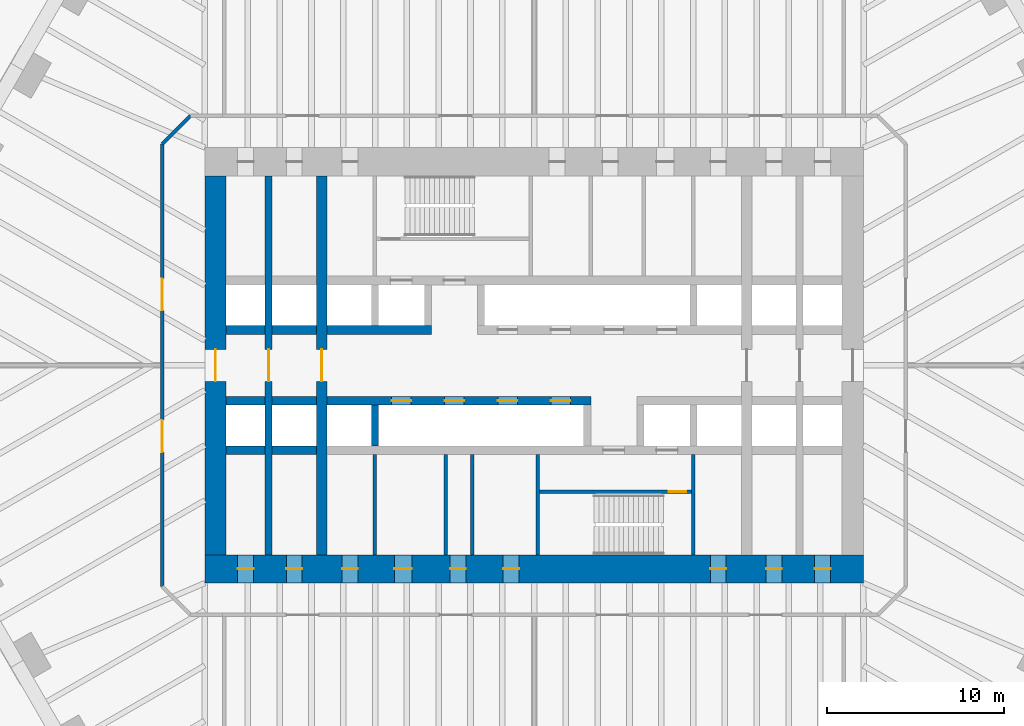
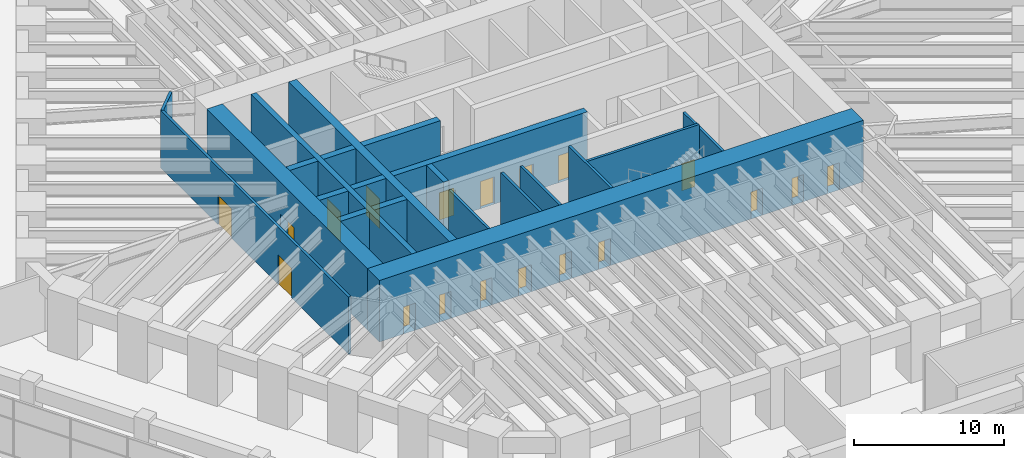
# One storey, part 27 of 31: 21 walls, 19 doors, 19 openings.
"""IFC4 building model written with IfcOpenShell, lengths in metres."""

from ifc_helpers import new_model, si_unit, direction, frame, frame_2d, origin, place, context, subcontext, project, spatial, rectangle, extrude, material, layer, layer_set, type_object, element, fill, save


model = new_model("IFC4")

# Units and contexts
model_context = context("Model", 3, precision=1e-05, world=origin(), true_north=direction((0.0, 1.0)))
body_context = subcontext(model_context, "Body", "Model", "MODEL_VIEW")
ifc_project = project(units=[si_unit("LENGTHUNIT", "METRE"), si_unit("AREAUNIT", "SQUARE_METRE"), si_unit("VOLUMEUNIT", "CUBIC_METRE"), si_unit("PLANEANGLEUNIT", "RADIAN"), si_unit("MASSUNIT", "GRAM", prefix="KILO")], contexts=[model_context])

# Site, building, storey
site_placement = place(None, origin())
site = spatial("IfcSite", under=ifc_project, at=site_placement, CompositionType="ELEMENT")
building_placement = place(site_placement, origin())
building = spatial("IfcBuilding", under=site, at=building_placement, Name="Tarfa Lantern Tower", CompositionType="ELEMENT")
storey_placement = place(building_placement, frame((0.0, 0.0, 18.5)))
storey = spatial("IfcBuildingStorey", under=building, at=storey_placement, Name="L03", CompositionType="ELEMENT", Elevation=18.5)

# Walls
ifc_material_1 = material(Name="Concrete blockwork", Category="masonry")
ifc_layer_1 = layer(ifc_material_1, 0.199951171875)
ifc_layer_set_1 = layer_set([ifc_layer_1], Name="IW1 BLOCKWORK PARTITION 200 EI 120")
wall_type_1 = type_object("IfcWallType", Name="IW1 BLOCKWORK PARTITION 200 EI 120", PredefinedType="PARTITIONING", material=ifc_layer_set_1)
for number, where, z_axis, x_axis, name in (
    (1, (9.0, -5.050048828125, 0.0), (0.0, 0.0, 1.0), (0.0, -1.0, 0.0), "Core partition"),
    (2, (-9.0, -5.050048828125, 0.0), (0.0, 0.0, 1.0), (0.0, -1.0, 0.0), "Core partition"),
    (3, (-3.5, -5.050048828125, 0.0), (0.0, 0.0, 1.0), (0.0, -1.0, 0.0), "Core partition"),
    (4, (-5.0, -5.050048828125, 0.0), (0.0, 0.0, 1.0), (0.0, -1.0, 0.0), "Core partition"),
):
    element("IfcWall", number, at=place(storey_placement, frame(where, z_axis=z_axis, x_axis=x_axis)), inside=storey, type_object=wall_type_1, Name=name, PredefinedType="PARTITIONING", context=body_context, shape_type="SweptSolid", body=[
        extrude(rectangle(XDim=5.64990234375, YDim=0.199951171875, at=frame_2d((2.824951171875, 0.0))), origin(), (0.0, 0.0, 1.0), 4.64990234375),
    ])

# Wall, openings, doors
ifc_material_2 = material(Name="Gypsum board on steel studs", Category="steel")
ifc_layer_2 = layer(ifc_material_2, 0.2099609375)
ifc_layer_set_2 = layer_set([ifc_layer_2], Name="IW2 ACOUSTIC PARTITION 200")
wall_type_2 = type_object("IfcWallType", Name="IW2 ACOUSTIC PARTITION 200", PredefinedType="PARTITIONING", material=ifc_layer_set_2)
wall_1_placement = place(storey_placement, frame((-21.0, -12.5, 0.0), z_axis=(0.0, 0.0, 1.0), x_axis=(0.0, 1.0, 0.0)))
wall_1 = element("IfcWall", 5, at=wall_1_placement, inside=storey, type_object=wall_type_2, Name="Partition", PredefinedType="PARTITIONING", context=body_context, shape_type="SweptSolid", body=[
    extrude(rectangle(XDim=25.0, YDim=0.199951171875, at=frame_2d((12.5, 0.0))), origin(), (0.0, 0.0, 1.0), 4.64990234375),
])
opening_1_placement = place(wall_1_placement, frame((15.60009765625, 0.0, 0.0)))
opening_1 = element("IfcOpeningElement", 6, at=opening_1_placement, cuts=wall_1, Name="Opening D49", PredefinedType="OPENING", context=body_context, shape_type="SweptSolid", body=[
    extrude(rectangle(XDim=1.800048828125, YDim=2.39990234375, at=frame_2d((0.89990234375, 1.199951171875))), frame((0.0, 0.10986328125, 0.0), z_axis=(0.0, -1.0, 0.0), x_axis=(1.0, 0.0, 0.0)), (0.0, 0.0, 1.0), 0.219970703125),
])
opening_2_placement = place(wall_1_placement, frame((7.60009765625, 0.0, 0.0)))
opening_2 = element("IfcOpeningElement", 7, at=opening_2_placement, cuts=wall_1, Name="Opening D51", PredefinedType="OPENING", context=body_context, shape_type="SweptSolid", body=[
    extrude(rectangle(XDim=1.800048828125, YDim=2.39990234375, at=frame_2d((0.89990234375, 1.199951171875))), frame((0.0, 0.10986328125, 0.0), z_axis=(0.0, -1.0, 0.0), x_axis=(1.0, 0.0, 0.0)), (0.0, 0.0, 1.0), 0.219970703125),
])
ifc_material_3 = material(Name="Timber door", Category="wood")
door_type_1 = type_object("IfcDoorType", Name="DR2 ROOM DOOR 1800x2400", OperationType="DOUBLE_DOOR_SINGLE_SWING", PredefinedType="DOOR", material=ifc_material_3)
door_1_placement = place(opening_1_placement, origin())
door_1 = element("IfcDoor", 8, at=door_1_placement, inside=storey, type_object=door_type_1, Name="Wellness centre door", OperationType="DOUBLE_DOOR_SINGLE_SWING", OverallHeight=2.39990234375, OverallWidth=1.800048828125, PredefinedType="DOOR", context=body_context, shape_type="SweptSolid", body=[
    extrude(rectangle(XDim=1.800048828125, YDim=2.39990234375, at=frame_2d((0.89990234375, 1.199951171875))), frame((0.0, 0.02490234375, 0.0), z_axis=(0.0, -1.0, 0.0), x_axis=(1.0, 0.0, 0.0)), (0.0, 0.0, 1.0), 0.050048828125),
])
fill(opening_1, door_1)
door_2_placement = place(opening_2_placement, origin())
door_2 = element("IfcDoor", 9, at=door_2_placement, inside=storey, type_object=door_type_1, Name="Human resources workplace door", OperationType="DOUBLE_DOOR_SINGLE_SWING", OverallHeight=2.39990234375, OverallWidth=1.800048828125, PredefinedType="DOOR", context=body_context, shape_type="SweptSolid", body=[
    extrude(rectangle(XDim=1.800048828125, YDim=2.39990234375, at=frame_2d((0.89990234375, 1.199951171875))), frame((0.0, 0.02490234375, 0.0), z_axis=(0.0, -1.0, 0.0), x_axis=(1.0, 0.0, 0.0)), (0.0, 0.0, 1.0), 0.050048828125),
])
fill(opening_2, door_2)

# Wall
wall_2_placement = place(storey_placement, frame((-21.0, 12.5, 0.0), z_axis=(0.0, 0.0, 1.0), x_axis=(0.707106781187, 0.707106781187, 0.0)))
element("IfcWall", 10, at=wall_2_placement, inside=storey, type_object=wall_type_2, Name="Partition", PredefinedType="PARTITIONING", context=body_context, shape_type="SweptSolid", body=[
    extrude(rectangle(XDim=2.262939453125, YDim=0.199951171875, at=frame_2d((1.13134765625, 0.0))), origin(), (0.0, 0.0, 1.0), 4.64990234375),
])

# Wall, opening, door
ifc_material_4 = material(Name="Concrete C80/95", Category="concrete")
ifc_layer_3 = layer(ifc_material_4, 1.199951171875)
ifc_layer_set_3 = layer_set([ifc_layer_3], Name="SW1 CORE WALL 1200")
wall_type_3 = type_object("IfcWallType", Name="SW1 CORE WALL 1200", PredefinedType="SHEAR", material=ifc_layer_set_3)
wall_3_placement = place(storey_placement, frame((-18.0, 10.699951171875, 0.0), z_axis=(0.0, 0.0, 1.0), x_axis=(0.0, -1.0, 0.0)))
wall_3 = element("IfcWall", 11, at=wall_3_placement, inside=storey, type_object=wall_type_3, Name="Core wall W", PredefinedType="SHEAR", context=body_context, shape_type="SweptSolid", body=[
    extrude(rectangle(XDim=21.39990234375, YDim=1.199951171875, at=frame_2d((10.699951171875, 0.0))), origin(), (0.0, 0.0, 1.0), 5.0),
])
opening_3_placement = place(wall_3_placement, frame((9.800048828125, 0.0, 0.0)))
opening_3 = element("IfcOpeningElement", 12, at=opening_3_placement, cuts=wall_3, Name="Opening D16", PredefinedType="OPENING", context=body_context, shape_type="SweptSolid", body=[
    extrude(rectangle(XDim=1.800048828125, YDim=2.39990234375, at=frame_2d((0.89990234375, 1.199951171875))), frame((0.0, 0.60986328125, 0.0), z_axis=(0.0, -1.0, 0.0), x_axis=(1.0, 0.0, 0.0)), (0.0, 0.0, 1.0), 1.219970703125),
])
ifc_material_5 = material(Name="Steel fire door", Category="steel")
door_type_2 = type_object("IfcDoorType", Name="DL1 LOBBY DOOR 1800x2400", OperationType="DOUBLE_DOOR_SINGLE_SWING", PredefinedType="DOOR", material=ifc_material_5)
door_3_placement = place(opening_3_placement, frame((1.800048828125, 0.0, 0.0), z_axis=(0.0, 0.0, 1.0), x_axis=(-1.0, 0.0, 0.0)))
door_3 = element("IfcDoor", 13, at=door_3_placement, inside=storey, type_object=door_type_2, Name="Lift lobby door", OperationType="DOUBLE_DOOR_SINGLE_SWING", OverallHeight=2.39990234375, OverallWidth=1.800048828125, PredefinedType="DOOR", context=body_context, shape_type="SweptSolid", body=[
    extrude(rectangle(XDim=1.800048828125, YDim=2.39990234375, at=frame_2d((0.89990234375, 1.199951171875))), frame((0.0, 0.02490234375, 0.0), z_axis=(0.0, -1.0, 0.0), x_axis=(1.0, 0.0, 0.0)), (0.0, 0.0, 1.0), 0.050048828125),
])
fill(opening_3, door_3)

# Wall
ifc_layer_4 = layer(ifc_material_4, 0.199951171875)
ifc_layer_set_4 = layer_set([ifc_layer_4], Name="SW12 CORE WALL 200")
wall_type_4 = type_object("IfcWallType", Name="SW12 CORE WALL 200", PredefinedType="SHEAR", material=ifc_layer_set_4)
wall_4_placement = place(storey_placement, frame((0.199951171875, -5.050048828125, 0.0), z_axis=(0.0, 0.0, 1.0), x_axis=(0.0, -1.0, 0.0)))
element("IfcWall", 14, at=wall_4_placement, inside=storey, type_object=wall_type_4, Name="Core wall stair shaft S", PredefinedType="SHEAR", context=body_context, shape_type="SweptSolid", body=[
    extrude(rectangle(XDim=5.64990234375, YDim=0.199951171875, at=frame_2d((2.824951171875, 0.0))), origin(), (0.0, 0.0, 1.0), 5.0),
])

# Wall, opening, door
wall_5_placement = place(storey_placement, frame((8.89990234375, -7.14990234375, 0.0), z_axis=(0.0, 0.0, 1.0), x_axis=(-1.0, 0.0, 0.0)))
wall_5 = element("IfcWall", 15, at=wall_5_placement, inside=storey, type_object=wall_type_4, Name="Core wall stair partition S", PredefinedType="SHEAR", context=body_context, shape_type="SweptSolid", body=[
    extrude(rectangle(XDim=8.599853515625, YDim=0.199951171875, at=frame_2d((4.2998046875, 0.0))), origin(), (0.0, 0.0, 1.0), 5.0),
])
opening_4_placement = place(wall_5_placement, frame((0.300048828125, 0.0, 0.0)))
opening_4 = element("IfcOpeningElement", 16, at=opening_4_placement, cuts=wall_5, Name="Opening D24", PredefinedType="OPENING", context=body_context, shape_type="SweptSolid", body=[
    extrude(rectangle(XDim=1.0, YDim=2.199951171875, at=frame_2d((0.5, 1.10009765625))), frame((0.0, 0.10986328125, 0.0), z_axis=(0.0, -1.0, 0.0), x_axis=(1.0, 0.0, 0.0)), (0.0, 0.0, 1.0), 0.219970703125),
])
door_type_3 = type_object("IfcDoorType", Name="DF2 STAIR DOOR 1000x2200", OperationType="SINGLE_SWING_LEFT", PredefinedType="DOOR", material=ifc_material_5)
door_4_placement = place(opening_4_placement, origin())
door_4 = element("IfcDoor", 17, at=door_4_placement, inside=storey, type_object=door_type_3, Name="Stair door", OperationType="SINGLE_SWING_RIGHT", OverallHeight=2.199951171875, OverallWidth=1.0, PredefinedType="DOOR", context=body_context, shape_type="SweptSolid", body=[
    extrude(rectangle(XDim=1.0, YDim=2.199951171875, at=frame_2d((0.5, 1.10009765625))), frame((0.0, 0.02490234375, 0.0), z_axis=(0.0, -1.0, 0.0), x_axis=(1.0, 0.0, 0.0)), (0.0, 0.0, 1.0), 0.050048828125),
])
fill(opening_4, door_4)

# Walls
ifc_layer_5 = layer(ifc_material_4, 0.5)
ifc_layer_set_5 = layer_set([ifc_layer_5], Name="SW5 CORE WALL 500")
wall_type_5 = type_object("IfcWallType", Name="SW5 CORE WALL 500", PredefinedType="SHEAR", material=ifc_layer_set_5)
wall_6_placement = place(storey_placement, frame((-17.39990234375, 2.0, 0.0), z_axis=(0.0, 0.0, 1.0), x_axis=(1.0, 0.0, 0.0)))
element("IfcWall", 18, at=wall_6_placement, inside=storey, type_object=wall_type_5, Name="Core wall lobby west N", PredefinedType="SHEAR", context=body_context, shape_type="SweptSolid", body=[
    extrude(rectangle(XDim=2.199951171875, YDim=0.5, at=frame_2d((1.10009765625, 0.0))), origin(), (0.0, 0.0, 1.0), 5.0),
])
wall_7_placement = place(storey_placement, frame((-14.800048828125, 2.0, 0.0), z_axis=(0.0, 0.0, 1.0), x_axis=(1.0, 0.0, 0.0)))
element("IfcWall", 19, at=wall_7_placement, inside=storey, type_object=wall_type_5, Name="Core wall lobby west N", PredefinedType="SHEAR", context=body_context, shape_type="SweptSolid", body=[
    extrude(rectangle(XDim=2.5, YDim=0.5, at=frame_2d((1.25, 0.0))), origin(), (0.0, 0.0, 1.0), 5.0),
])
wall_8_placement = place(storey_placement, frame((-11.699951171875, 2.0, 0.0), z_axis=(0.0, 0.0, 1.0), x_axis=(1.0, 0.0, 0.0)))
element("IfcWall", 20, at=wall_8_placement, inside=storey, type_object=wall_type_5, Name="Core wall lobby west N", PredefinedType="SHEAR", context=body_context, shape_type="SweptSolid", body=[
    extrude(rectangle(XDim=5.89990234375, YDim=0.5, at=frame_2d((2.949951171875, 0.0))), origin(), (0.0, 0.0, 1.0), 5.0),
])

# Wall, openings, doors
wall_9_placement = place(storey_placement, frame((3.199951171875, -2.0, 0.0), z_axis=(0.0, 0.0, 1.0), x_axis=(-1.0, 0.0, 0.0)))
wall_9 = element("IfcWall", 21, at=wall_9_placement, inside=storey, type_object=wall_type_5, Name="Core wall lobby east S", PredefinedType="SHEAR", context=body_context, shape_type="SweptSolid", body=[
    extrude(rectangle(XDim=14.89990234375, YDim=0.5, at=frame_2d((7.449951171875, 0.0))), origin(), (0.0, 0.0, 1.0), 5.0),
])
opening_5_placement = place(wall_9_placement, frame((1.14990234375, 0.0, 0.0)))
opening_5 = element("IfcOpeningElement", 22, at=opening_5_placement, cuts=wall_9, Name="Opening LD07", PredefinedType="OPENING", context=body_context, shape_type="SweptSolid", body=[
    extrude(rectangle(XDim=1.10009765625, YDim=2.199951171875, at=frame_2d((0.550048828125, 1.10009765625))), frame((0.0, 0.260009765625, 0.0), z_axis=(0.0, -1.0, 0.0), x_axis=(1.0, 0.0, 0.0)), (0.0, 0.0, 1.0), 0.52001953125),
])
opening_6_placement = place(wall_9_placement, frame((4.14990234375, 0.0, 0.0)))
opening_6 = element("IfcOpeningElement", 23, at=opening_6_placement, cuts=wall_9, Name="Opening LD08", PredefinedType="OPENING", context=body_context, shape_type="SweptSolid", body=[
    extrude(rectangle(XDim=1.10009765625, YDim=2.199951171875, at=frame_2d((0.550048828125, 1.10009765625))), frame((0.0, 0.260009765625, 0.0), z_axis=(0.0, -1.0, 0.0), x_axis=(1.0, 0.0, 0.0)), (0.0, 0.0, 1.0), 0.52001953125),
])
opening_7_placement = place(wall_9_placement, frame((7.14990234375, 0.0, 0.0)))
opening_7 = element("IfcOpeningElement", 24, at=opening_7_placement, cuts=wall_9, Name="Opening LD09", PredefinedType="OPENING", context=body_context, shape_type="SweptSolid", body=[
    extrude(rectangle(XDim=1.10009765625, YDim=2.199951171875, at=frame_2d((0.550048828125, 1.10009765625))), frame((0.0, 0.260009765625, 0.0), z_axis=(0.0, -1.0, 0.0), x_axis=(1.0, 0.0, 0.0)), (0.0, 0.0, 1.0), 0.52001953125),
])
opening_8_placement = place(wall_9_placement, frame((10.14990234375, 0.0, 0.0)))
opening_8 = element("IfcOpeningElement", 25, at=opening_8_placement, cuts=wall_9, Name="Opening LD10", PredefinedType="OPENING", context=body_context, shape_type="SweptSolid", body=[
    extrude(rectangle(XDim=1.10009765625, YDim=2.199951171875, at=frame_2d((0.550048828125, 1.10009765625))), frame((0.0, 0.260009765625, 0.0), z_axis=(0.0, -1.0, 0.0), x_axis=(1.0, 0.0, 0.0)), (0.0, 0.0, 1.0), 0.52001953125),
])
ifc_material_6 = material(Name="Stainless steel lift door", Category="steel")
door_type_4 = type_object("IfcDoorType", Name="LD2 LIFT LANDING DOOR 1100x2200", OperationType="SLIDING_TO_LEFT", PredefinedType="DOOR", material=ifc_material_6)
door_5_placement = place(opening_5_placement, frame((1.10009765625, 0.0, 0.0), z_axis=(0.0, 0.0, 1.0), x_axis=(-1.0, 0.0, 0.0)))
door_5 = element("IfcDoor", 26, at=door_5_placement, inside=storey, type_object=door_type_4, Name="Landing door PA5", OperationType="SLIDING_TO_LEFT", OverallHeight=2.199951171875, OverallWidth=1.10009765625, PredefinedType="DOOR", context=body_context, shape_type="SweptSolid", body=[
    extrude(rectangle(XDim=1.10009765625, YDim=2.199951171875, at=frame_2d((0.550048828125, 1.10009765625))), frame((0.0, 0.02490234375, 0.0), z_axis=(0.0, -1.0, 0.0), x_axis=(1.0, 0.0, 0.0)), (0.0, 0.0, 1.0), 0.050048828125),
])
fill(opening_5, door_5)
door_6_placement = place(opening_6_placement, frame((1.10009765625, 0.0, 0.0), z_axis=(0.0, 0.0, 1.0), x_axis=(-1.0, 0.0, 0.0)))
door_6 = element("IfcDoor", 27, at=door_6_placement, inside=storey, type_object=door_type_4, Name="Landing door PA6", OperationType="SLIDING_TO_LEFT", OverallHeight=2.199951171875, OverallWidth=1.10009765625, PredefinedType="DOOR", context=body_context, shape_type="SweptSolid", body=[
    extrude(rectangle(XDim=1.10009765625, YDim=2.199951171875, at=frame_2d((0.550048828125, 1.10009765625))), frame((0.0, 0.02490234375, 0.0), z_axis=(0.0, -1.0, 0.0), x_axis=(1.0, 0.0, 0.0)), (0.0, 0.0, 1.0), 0.050048828125),
])
fill(opening_6, door_6)
door_7_placement = place(opening_7_placement, frame((1.10009765625, 0.0, 0.0), z_axis=(0.0, 0.0, 1.0), x_axis=(-1.0, 0.0, 0.0)))
door_7 = element("IfcDoor", 28, at=door_7_placement, inside=storey, type_object=door_type_4, Name="Landing door PA7", OperationType="SLIDING_TO_LEFT", OverallHeight=2.199951171875, OverallWidth=1.10009765625, PredefinedType="DOOR", context=body_context, shape_type="SweptSolid", body=[
    extrude(rectangle(XDim=1.10009765625, YDim=2.199951171875, at=frame_2d((0.550048828125, 1.10009765625))), frame((0.0, 0.02490234375, 0.0), z_axis=(0.0, -1.0, 0.0), x_axis=(1.0, 0.0, 0.0)), (0.0, 0.0, 1.0), 0.050048828125),
])
fill(opening_7, door_7)
door_8_placement = place(opening_8_placement, frame((1.10009765625, 0.0, 0.0), z_axis=(0.0, 0.0, 1.0), x_axis=(-1.0, 0.0, 0.0)))
door_8 = element("IfcDoor", 29, at=door_8_placement, inside=storey, type_object=door_type_4, Name="Landing door PA8", OperationType="SLIDING_TO_LEFT", OverallHeight=2.199951171875, OverallWidth=1.10009765625, PredefinedType="DOOR", context=body_context, shape_type="SweptSolid", body=[
    extrude(rectangle(XDim=1.10009765625, YDim=2.199951171875, at=frame_2d((0.550048828125, 1.10009765625))), frame((0.0, 0.02490234375, 0.0), z_axis=(0.0, -1.0, 0.0), x_axis=(1.0, 0.0, 0.0)), (0.0, 0.0, 1.0), 0.050048828125),
])
fill(opening_8, door_8)

# Walls
wall_10_placement = place(storey_placement, frame((-12.300048828125, -2.0, 0.0), z_axis=(0.0, 0.0, 1.0), x_axis=(-1.0, 0.0, 0.0)))
element("IfcWall", 30, at=wall_10_placement, inside=storey, type_object=wall_type_5, Name="Core wall lobby east S", PredefinedType="SHEAR", context=body_context, shape_type="SweptSolid", body=[
    extrude(rectangle(XDim=2.5, YDim=0.5, at=frame_2d((1.25, 0.0))), origin(), (0.0, 0.0, 1.0), 5.0),
])
wall_11_placement = place(storey_placement, frame((-15.199951171875, -2.0, 0.0), z_axis=(0.0, 0.0, 1.0), x_axis=(-1.0, 0.0, 0.0)))
element("IfcWall", 31, at=wall_11_placement, inside=storey, type_object=wall_type_5, Name="Core wall lobby east S", PredefinedType="SHEAR", context=body_context, shape_type="SweptSolid", body=[
    extrude(rectangle(XDim=2.199951171875, YDim=0.5, at=frame_2d((1.10009765625, 0.0))), origin(), (0.0, 0.0, 1.0), 5.0),
])
wall_12_placement = place(storey_placement, frame((-12.300048828125, -4.800048828125, 0.0), z_axis=(0.0, 0.0, 1.0), x_axis=(-1.0, 0.0, 0.0)))
element("IfcWall", 32, at=wall_12_placement, inside=storey, type_object=wall_type_5, Name="Core wall rear S", PredefinedType="SHEAR", context=body_context, shape_type="SweptSolid", body=[
    extrude(rectangle(XDim=2.5, YDim=0.5, at=frame_2d((1.25, 0.0))), origin(), (0.0, 0.0, 1.0), 5.0),
])
wall_13_placement = place(storey_placement, frame((-15.199951171875, -4.800048828125, 0.0), z_axis=(0.0, 0.0, 1.0), x_axis=(-1.0, 0.0, 0.0)))
element("IfcWall", 33, at=wall_13_placement, inside=storey, type_object=wall_type_5, Name="Core wall rear S", PredefinedType="SHEAR", context=body_context, shape_type="SweptSolid", body=[
    extrude(rectangle(XDim=2.199951171875, YDim=0.5, at=frame_2d((1.10009765625, 0.0))), origin(), (0.0, 0.0, 1.0), 5.0),
])

# Wall, opening, door
ifc_layer_6 = layer(ifc_material_4, 0.39990234375)
ifc_layer_set_6 = layer_set([ifc_layer_6], Name="SW6 CORE WALL 400")
wall_type_6 = type_object("IfcWallType", Name="SW6 CORE WALL 400", PredefinedType="SHEAR", material=ifc_layer_set_6)
wall_14_placement = place(storey_placement, frame((-15.0, -10.699951171875, 0.0), z_axis=(0.0, 0.0, 1.0), x_axis=(0.0, 1.0, 0.0)))
wall_14 = element("IfcWall", 34, at=wall_14_placement, inside=storey, type_object=wall_type_6, Name="Core wall cross 15 m west", PredefinedType="SHEAR", context=body_context, shape_type="SweptSolid", body=[
    extrude(rectangle(XDim=21.39990234375, YDim=0.39990234375, at=frame_2d((10.699951171875, 0.0))), origin(), (0.0, 0.0, 1.0), 5.0),
])
opening_9_placement = place(wall_14_placement, frame((9.800048828125, 0.0, 0.0)))
opening_9 = element("IfcOpeningElement", 35, at=opening_9_placement, cuts=wall_14, Name="Opening D28", PredefinedType="OPENING", context=body_context, shape_type="SweptSolid", body=[
    extrude(rectangle(XDim=1.800048828125, YDim=2.39990234375, at=frame_2d((0.89990234375, 1.199951171875))), frame((0.0, 0.2099609375, 0.0), z_axis=(0.0, -1.0, 0.0), x_axis=(1.0, 0.0, 0.0)), (0.0, 0.0, 1.0), 0.419921875),
])
door_9_placement = place(opening_9_placement, origin())
door_9 = element("IfcDoor", 36, at=door_9_placement, inside=storey, type_object=door_type_2, Name="Lift lobby door", OperationType="DOUBLE_DOOR_SINGLE_SWING", OverallHeight=2.39990234375, OverallWidth=1.800048828125, PredefinedType="DOOR", context=body_context, shape_type="SweptSolid", body=[
    extrude(rectangle(XDim=1.800048828125, YDim=2.39990234375, at=frame_2d((0.89990234375, 1.199951171875))), frame((0.0, 0.02490234375, 0.0), z_axis=(0.0, -1.0, 0.0), x_axis=(1.0, 0.0, 0.0)), (0.0, 0.0, 1.0), 0.050048828125),
])
fill(opening_9, door_9)

# Wall
wall_15_placement = place(storey_placement, frame((-9.0, -2.25, 0.0), z_axis=(0.0, 0.0, 1.0), x_axis=(0.0, -1.0, 0.0)))
element("IfcWall", 37, at=wall_15_placement, inside=storey, type_object=wall_type_6, Name="Core wall divider S", PredefinedType="SHEAR", context=body_context, shape_type="SweptSolid", body=[
    extrude(rectangle(XDim=2.300048828125, YDim=0.39990234375, at=frame_2d((1.14990234375, 0.0))), origin(), (0.0, 0.0, 1.0), 5.0),
])

# Wall, openings, doors
ifc_layer_7 = layer(ifc_material_4, 1.60009765625)
ifc_layer_set_7 = layer_set([ifc_layer_7], Name="SW7 CORE WALL 1600")
wall_type_7 = type_object("IfcWallType", Name="SW7 CORE WALL 1600", PredefinedType="SHEAR", material=ifc_layer_set_7)
wall_16_placement = place(storey_placement, frame((18.60009765625, -11.5, 0.0), z_axis=(0.0, 0.0, 1.0), x_axis=(-1.0, 0.0, 0.0)))
wall_16 = element("IfcWall", 38, at=wall_16_placement, inside=storey, type_object=wall_type_7, Name="Core wall S", PredefinedType="SHEAR", context=body_context, shape_type="SweptSolid", body=[
    extrude(rectangle(XDim=37.2001953125, YDim=1.60009765625, at=frame_2d((18.60009765625, 0.0))), origin(), (0.0, 0.0, 1.0), 5.0),
])
opening_10_placement = place(wall_16_placement, frame((19.449951171875, 0.0, 0.0)))
opening_10 = element("IfcOpeningElement", 39, at=opening_10_placement, cuts=wall_16, Name="Opening D18", PredefinedType="OPENING", context=body_context, shape_type="SweptSolid", body=[
    extrude(rectangle(XDim=0.89990234375, YDim=2.199951171875, at=frame_2d((0.449951171875, 1.10009765625))), frame((0.0, 0.81005859375, 0.0), z_axis=(0.0, -1.0, 0.0), x_axis=(1.0, 0.0, 0.0)), (0.0, 0.0, 1.0), 1.6201171875),
])
opening_11_placement = place(wall_16_placement, frame((22.449951171875, 0.0, 0.0)))
opening_11 = element("IfcOpeningElement", 40, at=opening_11_placement, cuts=wall_16, Name="Opening D20", PredefinedType="OPENING", context=body_context, shape_type="SweptSolid", body=[
    extrude(rectangle(XDim=0.89990234375, YDim=2.199951171875, at=frame_2d((0.449951171875, 1.10009765625))), frame((0.0, 0.81005859375, 0.0), z_axis=(0.0, -1.0, 0.0), x_axis=(1.0, 0.0, 0.0)), (0.0, 0.0, 1.0), 1.6201171875),
])
opening_12_placement = place(wall_16_placement, frame((25.5, 0.0, 0.0)))
opening_12 = element("IfcOpeningElement", 41, at=opening_12_placement, cuts=wall_16, Name="Opening D22", PredefinedType="OPENING", context=body_context, shape_type="SweptSolid", body=[
    extrude(rectangle(XDim=1.0, YDim=2.199951171875, at=frame_2d((0.5, 1.10009765625))), frame((0.0, 0.81005859375, 0.0), z_axis=(0.0, -1.0, 0.0), x_axis=(1.0, 0.0, 0.0)), (0.0, 0.0, 1.0), 1.6201171875),
])
opening_13_placement = place(wall_16_placement, frame((1.85009765625, 0.0, 0.0)))
opening_13 = element("IfcOpeningElement", 42, at=opening_13_placement, cuts=wall_16, Name="Opening D12", PredefinedType="OPENING", context=body_context, shape_type="SweptSolid", body=[
    extrude(rectangle(XDim=0.89990234375, YDim=2.199951171875, at=frame_2d((0.449951171875, 1.10009765625))), frame((0.0, 0.81005859375, 0.0), z_axis=(0.0, -1.0, 0.0), x_axis=(1.0, 0.0, 0.0)), (0.0, 0.0, 1.0), 1.6201171875),
])
opening_14_placement = place(wall_16_placement, frame((4.60009765625, 0.0, 0.0)))
opening_14 = element("IfcOpeningElement", 43, at=opening_14_placement, cuts=wall_16, Name="Opening D08", PredefinedType="OPENING", context=body_context, shape_type="SweptSolid", body=[
    extrude(rectangle(XDim=0.89990234375, YDim=2.199951171875, at=frame_2d((0.449951171875, 1.10009765625))), frame((0.0, 0.81005859375, 0.0), z_axis=(0.0, -1.0, 0.0), x_axis=(1.0, 0.0, 0.0)), (0.0, 0.0, 1.0), 1.6201171875),
])
opening_15_placement = place(wall_16_placement, frame((7.75, 0.0, 0.0)))
opening_15 = element("IfcOpeningElement", 44, at=opening_15_placement, cuts=wall_16, Name="Opening D10", PredefinedType="OPENING", context=body_context, shape_type="SweptSolid", body=[
    extrude(rectangle(XDim=0.89990234375, YDim=2.199951171875, at=frame_2d((0.449951171875, 1.10009765625))), frame((0.0, 0.81005859375, 0.0), z_axis=(0.0, -1.0, 0.0), x_axis=(1.0, 0.0, 0.0)), (0.0, 0.0, 1.0), 1.6201171875),
])
opening_16_placement = place(wall_16_placement, frame((28.550048828125, 0.0, 0.0)))
opening_16 = element("IfcOpeningElement", 45, at=opening_16_placement, cuts=wall_16, Name="Opening D06", PredefinedType="OPENING", context=body_context, shape_type="SweptSolid", body=[
    extrude(rectangle(XDim=0.89990234375, YDim=2.199951171875, at=frame_2d((0.449951171875, 1.10009765625))), frame((0.0, 0.81005859375, 0.0), z_axis=(0.0, -1.0, 0.0), x_axis=(1.0, 0.0, 0.0)), (0.0, 0.0, 1.0), 1.6201171875),
])
opening_17_placement = place(wall_16_placement, frame((31.699951171875, 0.0, 0.0)))
opening_17 = element("IfcOpeningElement", 46, at=opening_17_placement, cuts=wall_16, Name="Opening D02", PredefinedType="OPENING", context=body_context, shape_type="SweptSolid", body=[
    extrude(rectangle(XDim=0.89990234375, YDim=2.199951171875, at=frame_2d((0.449951171875, 1.10009765625))), frame((0.0, 0.81005859375, 0.0), z_axis=(0.0, -1.0, 0.0), x_axis=(1.0, 0.0, 0.0)), (0.0, 0.0, 1.0), 1.6201171875),
])
opening_18_placement = place(wall_16_placement, frame((34.449951171875, 0.0, 0.0)))
opening_18 = element("IfcOpeningElement", 47, at=opening_18_placement, cuts=wall_16, Name="Opening D04", PredefinedType="OPENING", context=body_context, shape_type="SweptSolid", body=[
    extrude(rectangle(XDim=0.89990234375, YDim=2.199951171875, at=frame_2d((0.449951171875, 1.10009765625))), frame((0.0, 0.81005859375, 0.0), z_axis=(0.0, -1.0, 0.0), x_axis=(1.0, 0.0, 0.0)), (0.0, 0.0, 1.0), 1.6201171875),
])
door_type_5 = type_object("IfcDoorType", Name="DF3 CORE ROOM DOOR 900x2200", OperationType="SINGLE_SWING_LEFT", PredefinedType="DOOR", material=ifc_material_5)
door_10_placement = place(opening_10_placement, frame((0.89990234375, 0.0, 0.0), z_axis=(0.0, 0.0, 1.0), x_axis=(-1.0, 0.0, 0.0)))
door_10 = element("IfcDoor", 48, at=door_10_placement, inside=storey, type_object=door_type_5, Name="Core door", OperationType="SINGLE_SWING_LEFT", OverallHeight=2.199951171875, OverallWidth=0.89990234375, PredefinedType="DOOR", context=body_context, shape_type="SweptSolid", body=[
    extrude(rectangle(XDim=0.89990234375, YDim=2.199951171875, at=frame_2d((0.449951171875, 1.10009765625))), frame((0.0, 0.02490234375, 0.0), z_axis=(0.0, -1.0, 0.0), x_axis=(1.0, 0.0, 0.0)), (0.0, 0.0, 1.0), 0.050048828125),
])
fill(opening_10, door_10)
door_11_placement = place(opening_11_placement, frame((0.89990234375, 0.0, 0.0), z_axis=(0.0, 0.0, 1.0), x_axis=(-1.0, 0.0, 0.0)))
door_11 = element("IfcDoor", 49, at=door_11_placement, inside=storey, type_object=door_type_5, Name="Core door", OperationType="SINGLE_SWING_RIGHT", OverallHeight=2.199951171875, OverallWidth=0.89990234375, PredefinedType="DOOR", context=body_context, shape_type="SweptSolid", body=[
    extrude(rectangle(XDim=0.89990234375, YDim=2.199951171875, at=frame_2d((0.449951171875, 1.10009765625))), frame((0.0, 0.02490234375, 0.0), z_axis=(0.0, -1.0, 0.0), x_axis=(1.0, 0.0, 0.0)), (0.0, 0.0, 1.0), 0.050048828125),
])
fill(opening_11, door_11)
door_type_6 = type_object("IfcDoorType", Name="DF4 CORE ROOM DOOR 1000x2200", OperationType="SINGLE_SWING_LEFT", PredefinedType="DOOR", material=ifc_material_5)
door_12_placement = place(opening_12_placement, frame((1.0, 0.0, 0.0), z_axis=(0.0, 0.0, 1.0), x_axis=(-1.0, 0.0, 0.0)))
door_12 = element("IfcDoor", 50, at=door_12_placement, inside=storey, type_object=door_type_6, Name="Core door", OperationType="SINGLE_SWING_RIGHT", OverallHeight=2.199951171875, OverallWidth=1.0, PredefinedType="DOOR", context=body_context, shape_type="SweptSolid", body=[
    extrude(rectangle(XDim=1.0, YDim=2.199951171875, at=frame_2d((0.5, 1.10009765625))), frame((0.0, 0.02490234375, 0.0), z_axis=(0.0, -1.0, 0.0), x_axis=(1.0, 0.0, 0.0)), (0.0, 0.0, 1.0), 0.050048828125),
])
fill(opening_12, door_12)
door_type_7 = type_object("IfcDoorType", Name="DF5 RISER DOOR 900x2200", OperationType="SINGLE_SWING_LEFT", PredefinedType="DOOR", material=ifc_material_5)
door_13_placement = place(opening_13_placement, frame((0.89990234375, 0.0, 0.0), z_axis=(0.0, 0.0, 1.0), x_axis=(-1.0, 0.0, 0.0)))
door_13 = element("IfcDoor", 51, at=door_13_placement, inside=storey, type_object=door_type_7, Name="Riser door", OperationType="SINGLE_SWING_LEFT", OverallHeight=2.199951171875, OverallWidth=0.89990234375, PredefinedType="DOOR", context=body_context, shape_type="SweptSolid", body=[
    extrude(rectangle(XDim=0.89990234375, YDim=2.199951171875, at=frame_2d((0.449951171875, 1.10009765625))), frame((0.0, 0.02490234375, 0.0), z_axis=(0.0, -1.0, 0.0), x_axis=(1.0, 0.0, 0.0)), (0.0, 0.0, 1.0), 0.050048828125),
])
fill(opening_13, door_13)
door_14_placement = place(opening_14_placement, frame((0.89990234375, 0.0, 0.0), z_axis=(0.0, 0.0, 1.0), x_axis=(-1.0, 0.0, 0.0)))
door_14 = element("IfcDoor", 52, at=door_14_placement, inside=storey, type_object=door_type_7, Name="Riser door", OperationType="SINGLE_SWING_LEFT", OverallHeight=2.199951171875, OverallWidth=0.89990234375, PredefinedType="DOOR", context=body_context, shape_type="SweptSolid", body=[
    extrude(rectangle(XDim=0.89990234375, YDim=2.199951171875, at=frame_2d((0.449951171875, 1.10009765625))), frame((0.0, 0.02490234375, 0.0), z_axis=(0.0, -1.0, 0.0), x_axis=(1.0, 0.0, 0.0)), (0.0, 0.0, 1.0), 0.050048828125),
])
fill(opening_14, door_14)
door_15_placement = place(opening_15_placement, frame((0.89990234375, 0.0, 0.0), z_axis=(0.0, 0.0, 1.0), x_axis=(-1.0, 0.0, 0.0)))
door_15 = element("IfcDoor", 53, at=door_15_placement, inside=storey, type_object=door_type_7, Name="Riser door", OperationType="SINGLE_SWING_LEFT", OverallHeight=2.199951171875, OverallWidth=0.89990234375, PredefinedType="DOOR", context=body_context, shape_type="SweptSolid", body=[
    extrude(rectangle(XDim=0.89990234375, YDim=2.199951171875, at=frame_2d((0.449951171875, 1.10009765625))), frame((0.0, 0.02490234375, 0.0), z_axis=(0.0, -1.0, 0.0), x_axis=(1.0, 0.0, 0.0)), (0.0, 0.0, 1.0), 0.050048828125),
])
fill(opening_15, door_15)
door_16_placement = place(opening_16_placement, frame((0.89990234375, 0.0, 0.0), z_axis=(0.0, 0.0, 1.0), x_axis=(-1.0, 0.0, 0.0)))
door_16 = element("IfcDoor", 54, at=door_16_placement, inside=storey, type_object=door_type_7, Name="Riser door", OperationType="SINGLE_SWING_RIGHT", OverallHeight=2.199951171875, OverallWidth=0.89990234375, PredefinedType="DOOR", context=body_context, shape_type="SweptSolid", body=[
    extrude(rectangle(XDim=0.89990234375, YDim=2.199951171875, at=frame_2d((0.449951171875, 1.10009765625))), frame((0.0, 0.02490234375, 0.0), z_axis=(0.0, -1.0, 0.0), x_axis=(1.0, 0.0, 0.0)), (0.0, 0.0, 1.0), 0.050048828125),
])
fill(opening_16, door_16)
door_17_placement = place(opening_17_placement, frame((0.89990234375, 0.0, 0.0), z_axis=(0.0, 0.0, 1.0), x_axis=(-1.0, 0.0, 0.0)))
door_17 = element("IfcDoor", 55, at=door_17_placement, inside=storey, type_object=door_type_7, Name="Riser door", OperationType="SINGLE_SWING_RIGHT", OverallHeight=2.199951171875, OverallWidth=0.89990234375, PredefinedType="DOOR", context=body_context, shape_type="SweptSolid", body=[
    extrude(rectangle(XDim=0.89990234375, YDim=2.199951171875, at=frame_2d((0.449951171875, 1.10009765625))), frame((0.0, 0.02490234375, 0.0), z_axis=(0.0, -1.0, 0.0), x_axis=(1.0, 0.0, 0.0)), (0.0, 0.0, 1.0), 0.050048828125),
])
fill(opening_17, door_17)
door_18_placement = place(opening_18_placement, frame((0.89990234375, 0.0, 0.0), z_axis=(0.0, 0.0, 1.0), x_axis=(-1.0, 0.0, 0.0)))
door_18 = element("IfcDoor", 56, at=door_18_placement, inside=storey, type_object=door_type_7, Name="Riser door", OperationType="SINGLE_SWING_RIGHT", OverallHeight=2.199951171875, OverallWidth=0.89990234375, PredefinedType="DOOR", context=body_context, shape_type="SweptSolid", body=[
    extrude(rectangle(XDim=0.89990234375, YDim=2.199951171875, at=frame_2d((0.449951171875, 1.10009765625))), frame((0.0, 0.02490234375, 0.0), z_axis=(0.0, -1.0, 0.0), x_axis=(1.0, 0.0, 0.0)), (0.0, 0.0, 1.0), 0.050048828125),
])
fill(opening_18, door_18)

# Wall, opening, door
ifc_layer_8 = layer(ifc_material_4, 0.60009765625)
ifc_layer_set_8 = layer_set([ifc_layer_8], Name="SW9 CORE WALL 600")
wall_type_8 = type_object("IfcWallType", Name="SW9 CORE WALL 600", PredefinedType="SHEAR", material=ifc_layer_set_8)
wall_17_placement = place(storey_placement, frame((-12.0, -10.699951171875, 0.0), z_axis=(0.0, 0.0, 1.0), x_axis=(0.0, 1.0, 0.0)))
wall_17 = element("IfcWall", 57, at=wall_17_placement, inside=storey, type_object=wall_type_8, Name="Core wall cross 12 m west", PredefinedType="SHEAR", context=body_context, shape_type="SweptSolid", body=[
    extrude(rectangle(XDim=21.39990234375, YDim=0.60009765625, at=frame_2d((10.699951171875, 0.0))), origin(), (0.0, 0.0, 1.0), 5.0),
])
opening_19_placement = place(wall_17_placement, frame((9.800048828125, 0.0, 0.0)))
opening_19 = element("IfcOpeningElement", 58, at=opening_19_placement, cuts=wall_17, Name="Opening D27", PredefinedType="OPENING", context=body_context, shape_type="SweptSolid", body=[
    extrude(rectangle(XDim=1.800048828125, YDim=2.39990234375, at=frame_2d((0.89990234375, 1.199951171875))), frame((0.0, 0.31005859375, 0.0), z_axis=(0.0, -1.0, 0.0), x_axis=(1.0, 0.0, 0.0)), (0.0, 0.0, 1.0), 0.6201171875),
])
door_19_placement = place(opening_19_placement, origin())
door_19 = element("IfcDoor", 59, at=door_19_placement, inside=storey, type_object=door_type_2, Name="Lift lobby door", OperationType="DOUBLE_DOOR_SINGLE_SWING", OverallHeight=2.39990234375, OverallWidth=1.800048828125, PredefinedType="DOOR", context=body_context, shape_type="SweptSolid", body=[
    extrude(rectangle(XDim=1.800048828125, YDim=2.39990234375, at=frame_2d((0.89990234375, 1.199951171875))), frame((0.0, 0.02490234375, 0.0), z_axis=(0.0, -1.0, 0.0), x_axis=(1.0, 0.0, 0.0)), (0.0, 0.0, 1.0), 0.050048828125),
])
fill(opening_19, door_19)

save(model, "model.ifc")
